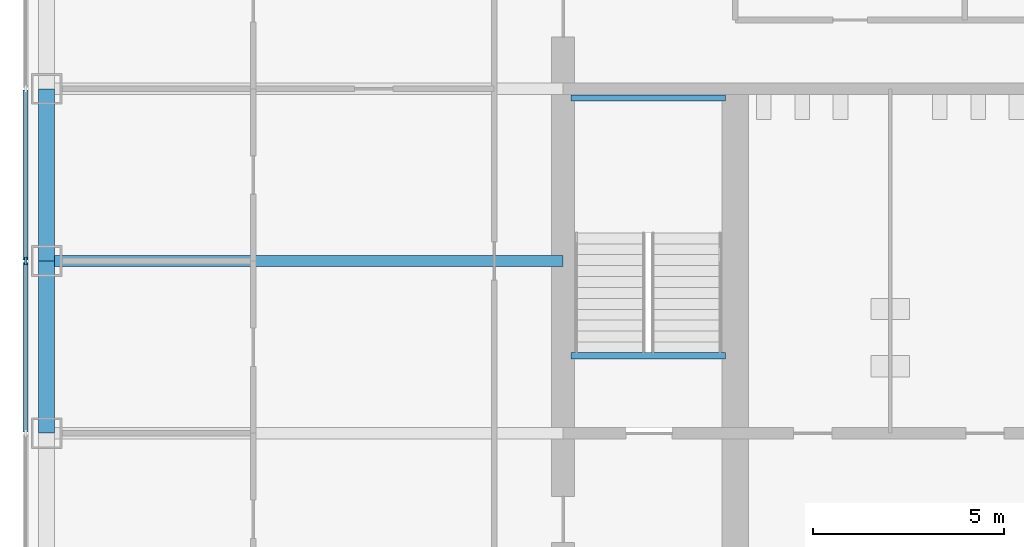
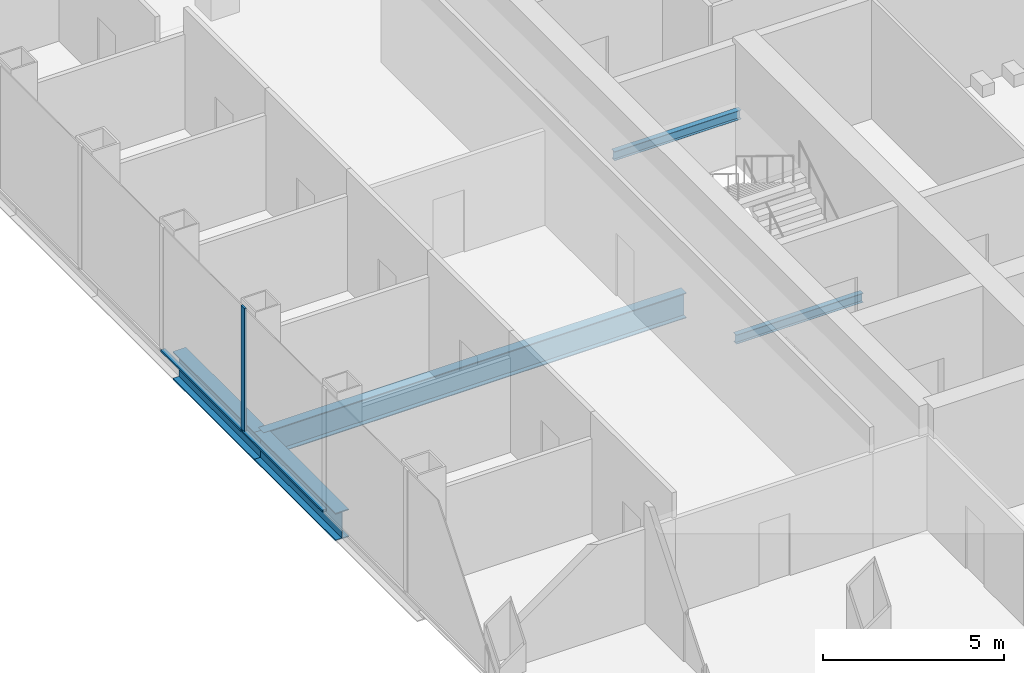
# One storey, part 3 of 13: 5 beams, 3 members, 1 element without a shape of its own.
"""IFC4 building model written with IfcOpenShell, lengths in metres."""

from ifc_helpers import new_model, si_unit, direction, frame, origin, origin_2d, place, context, subcontext, project, spatial, rectangle, i_section, extrude, material, material_profile, profile_set, type_object, element, aggregate, save


model = new_model("IFC4")

# Units and contexts
model_context = context("Model", 3, precision=1e-05, world=origin(), true_north=direction((0.0, 1.0)))
body_context = subcontext(model_context, "Body", "Model", "MODEL_VIEW")
ifc_project = project(units=[si_unit("LENGTHUNIT", "METRE"), si_unit("AREAUNIT", "SQUARE_METRE"), si_unit("VOLUMEUNIT", "CUBIC_METRE"), si_unit("PLANEANGLEUNIT", "RADIAN"), si_unit("MASSUNIT", "GRAM", prefix="KILO")], contexts=[model_context])

# Site, building, storey
site_placement = place(None, origin())
site = spatial("IfcSite", under=ifc_project, at=site_placement, CompositionType="ELEMENT")
building_placement = place(site_placement, origin())
building = spatial("IfcBuilding", under=site, at=building_placement, Name="Corais Broadcast Tower", CompositionType="ELEMENT")
storey_placement = place(building_placement, frame((0.0, 0.0, 87.800048828125)))
storey = spatial("IfcBuildingStorey", under=building, at=storey_placement, Name="L19", CompositionType="ELEMENT", Elevation=87.800048828125)

# Beams
ifc_material_1 = material(Name="Steel ASTM A572 Grade 50", Category="steel")
ifc_material_profile_1 = material_profile(ifc_material_1, i_section(OverallWidth=0.2939453125, OverallDepth=0.85107421875, WebThickness=0.01611328125, FlangeThickness=0.02685546875, at=origin_2d()), Name="W840x226")
ifc_profile_set_1 = profile_set([ifc_material_profile_1], Name="Steel ASTM A572 Grade 50")
beam_type_1 = type_object("IfcBeamType", Name="Floor beam W840x226", PredefinedType="BEAM", material=ifc_profile_set_1)
beam_placement = place(storey_placement, frame((0.0, 27.0, -0.58544921875), z_axis=(1.0, 0.0, 0.0), x_axis=(0.0, 1.0, 0.0)))
element("IfcBeam", 1, at=beam_placement, inside=storey, type_object=beam_type_1, Name="B1 G/3 to G/6", PredefinedType="BEAM", context=body_context, shape_type="SweptSolid", body=[
    extrude(i_section(OverallWidth=0.2939453125, OverallDepth=0.85107421875, WebThickness=0.01611328125, FlangeThickness=0.02685546875, at=origin_2d()), origin(), (0.0, 0.0, 1.0), 13.5),
])
ifc_material_2 = material(Name="Steel ASTM A572 Grade 50", Category="steel")
ifc_material_profile_2 = material_profile(ifc_material_2, i_section(OverallWidth=0.1650390625, OverallDepth=0.31005859375, WebThickness=0.005859375, FlangeThickness=0.009765625, at=origin_2d()), Name="W310x38.7")
ifc_profile_set_2 = profile_set([ifc_material_profile_2], Name="Steel ASTM A572 Grade 50")
beam_type_2 = type_object("IfcBeamType", Name="Landing trimmer W310x38.7", PredefinedType="BEAM", material=ifc_profile_set_2)
for number, where, z_axis, x_axis, name in (
    (2, (13.699951171875, 24.52490234375, -0.35498046875), (1.0, 0.0, 0.0), (0.0, 1.0, 0.0), "LT1 stair A landing trimmer L19"),
    (3, (13.699951171875, 31.260009765625, 1.744873046875), (1.0, 0.0, 0.0), (0.0, 1.0, 0.0), "LT1 stair A half landing trimmer L19"),
):
    element("IfcBeam", number, at=place(storey_placement, frame(where, z_axis=z_axis, x_axis=x_axis)), inside=storey, type_object=beam_type_2, Name=name, PredefinedType="BEAM", context=body_context, shape_type="SweptSolid", body=[
        extrude(i_section(OverallWidth=0.1650390625, OverallDepth=0.31005859375, WebThickness=0.005859375, FlangeThickness=0.009765625, at=origin_2d()), origin(), (0.0, 0.0, 1.0), 4.050048828125),
    ])

# Curtain wall, member
ifc_material_3 = material(Name="Aluminium and glass", Category="aluminium")
curtain_wall_type = type_object("IfcCurtainWallType", Name="Unitised fritted curtain wall CW1", PredefinedType="NOTDEFINED", material=ifc_material_3)
curtain_wall_placement = place(storey_placement, origin())
curtain_wall = element("IfcCurtainWall", 4, at=curtain_wall_placement, inside=storey, type_object=curtain_wall_type, Name="CW1 curtain wall L19 2", PredefinedType="NOTDEFINED")
ifc_material_4 = material(Name="Aluminium 6063-T6", Category="aluminium")
ifc_material_profile_3 = material_profile(ifc_material_4, rectangle(XDim=0.06494140625, YDim=0.199951171875, at=origin_2d()), Name="Mullion CW1 65x200")
ifc_profile_set_3 = profile_set([ifc_material_profile_3], Name="Aluminium 6063-T6")
member_type_1 = type_object("IfcMemberType", Name="Mullion CW1 65x200", PredefinedType="MULLION", material=ifc_profile_set_3)
member_1_placement = place(storey_placement, frame((-0.550048828125, 27.0, 0.0), z_axis=(0.0, 0.0, 1.0), x_axis=(-1.0, 0.0, 0.0)))
member_1 = element("IfcMember", 5, at=member_1_placement, type_object=member_type_1, Name="CW1 mullion 6", PredefinedType="MULLION", context=body_context, shape_type="SweptSolid", body=[
    extrude(rectangle(XDim=0.06494140625, YDim=0.199951171875, at=origin_2d()), origin(), (0.0, 0.0, 1.0), 4.199951171875),
])

# Beams
ifc_material_5 = material(Name="Steel ASTM A572 Grade 50", Category="steel")
ifc_material_profile_4 = material_profile(ifc_material_5, i_section(OverallWidth=0.4189453125, OverallDepth=0.94189453125, WebThickness=0.022216796875, FlangeThickness=0.03662109375, at=origin_2d()), Name="W920x345")
ifc_profile_set_4 = profile_set([ifc_material_profile_4], Name="Steel ASTM A572 Grade 50")
beam_type_3 = type_object("IfcBeamType", Name="Transfer spandrel W920x345", PredefinedType="BEAM", material=ifc_profile_set_4)
for number, where, z_axis, x_axis, name in (
    (6, (0.0, 27.0, -0.631103515625), (0.0, -1.0, 0.0), (1.0, 0.0, 0.0), "SB4 G/3 to F/3"),
    (7, (0.0, 31.5, -0.631103515625), (0.0, -1.0, 0.0), (1.0, 0.0, 0.0), "SB4 H/3 to G/3"),
):
    element("IfcBeam", number, at=place(storey_placement, frame(where, z_axis=z_axis, x_axis=x_axis)), inside=storey, type_object=beam_type_3, Name=name, PredefinedType="BEAM", context=body_context, shape_type="SweptSolid", body=[
        extrude(i_section(OverallWidth=0.4189453125, OverallDepth=0.94189453125, WebThickness=0.022216796875, FlangeThickness=0.03662109375, at=origin_2d()), origin(), (0.0, 0.0, 1.0), 4.5),
    ])

# Member
ifc_material_6 = material(Name="Aluminium 6063-T6", Category="aluminium")
ifc_material_profile_5 = material_profile(ifc_material_6, rectangle(XDim=0.139892578125, YDim=0.06494140625, at=origin_2d()), Name="Transom CW1 65x140")
ifc_profile_set_5 = profile_set([ifc_material_profile_5], Name="Aluminium 6063-T6")
member_type_2 = type_object("IfcMemberType", Name="Transom CW1 65x140", PredefinedType="USERDEFINED", material=ifc_profile_set_5)
member_2_placement = place(storey_placement, frame((-0.550048828125, 22.532470703125, 0.032470703125), z_axis=(0.0, 1.0, 0.0), x_axis=(-1.0, 0.0, 0.0)))
member_2 = element("IfcMember", 8, at=member_2_placement, type_object=member_type_2, Name="CW1 transom 5.1", ObjectType="TRANSOM", PredefinedType="USERDEFINED", context=body_context, shape_type="SweptSolid", body=[
    extrude(rectangle(XDim=0.139892578125, YDim=0.06494140625, at=origin_2d()), origin(), (0.0, 0.0, 1.0), 4.43505859375),
])

member_3_placement = place(storey_placement, frame((-0.550048828125, 27.032470703125, 0.032470703125), z_axis=(0.0, 1.0, 0.0), x_axis=(-1.0, 0.0, 0.0)))
member_3 = element("IfcMember", 9, at=member_3_placement, type_object=member_type_2, Name="CW1 transom 6.1", ObjectType="TRANSOM", PredefinedType="USERDEFINED", context=body_context, shape_type="SweptSolid", body=[
    extrude(rectangle(XDim=0.139892578125, YDim=0.06494140625, at=origin_2d()), origin(), (0.0, 0.0, 1.0), 4.43505859375),
])

aggregate(curtain_wall, [member_1, member_2, member_3])

save(model, "model.ifc")
